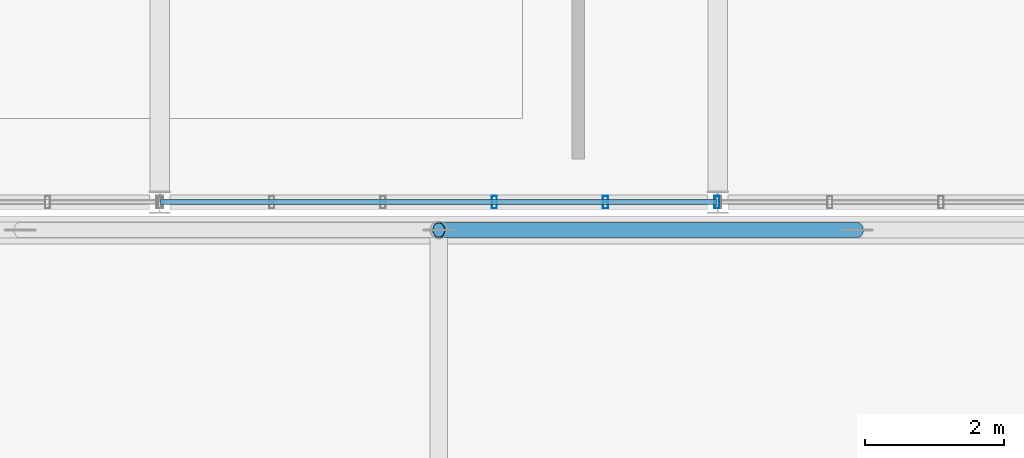
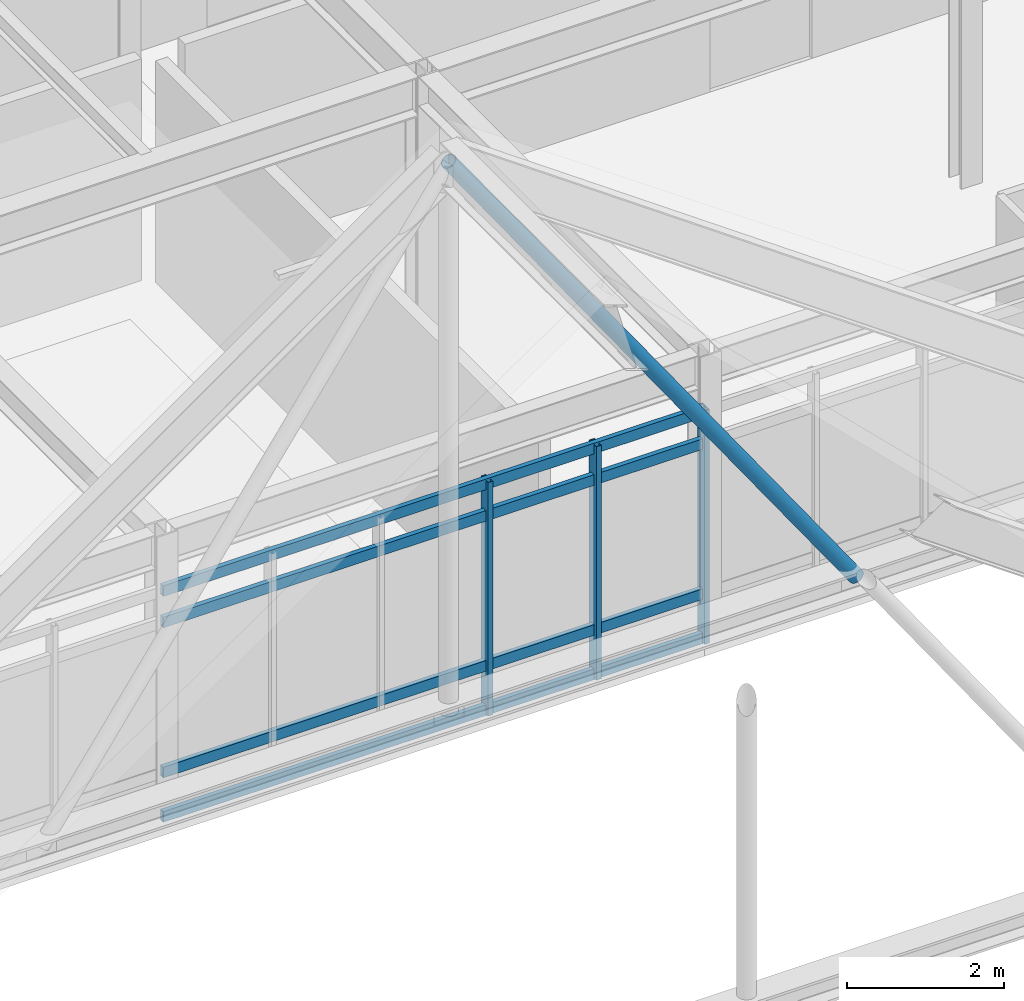
# One storey, part 57 of 100: 8 members, 1 element without a shape of its own.
"""IFC4 building model written with IfcOpenShell, lengths in metres."""

from ifc_helpers import new_model, si_unit, direction, frame, origin, origin_2d, place, context, subcontext, project, spatial, hollow_rectangle, hollow_circle, extrude, material, material_profile, profile_set, type_object, element, aggregate, save


model = new_model("IFC4")

# Units and contexts
model_context = context("Model", 3, precision=1e-05, world=origin(), true_north=direction((0.0, 1.0)))
body_context = subcontext(model_context, "Body", "Model", "MODEL_VIEW")
ifc_project = project(units=[si_unit("LENGTHUNIT", "METRE"), si_unit("AREAUNIT", "SQUARE_METRE"), si_unit("VOLUMEUNIT", "CUBIC_METRE"), si_unit("PLANEANGLEUNIT", "RADIAN"), si_unit("MASSUNIT", "GRAM", prefix="KILO")], contexts=[model_context])

# Site, building, storey
site_placement = place(None, origin())
site = spatial("IfcSite", under=ifc_project, at=site_placement, CompositionType="ELEMENT")
building_placement = place(site_placement, origin())
building = spatial("IfcBuilding", under=site, at=building_placement, Name="Zulena Civic Courthouse", CompositionType="ELEMENT")
storey_placement = place(building_placement, frame((0.0, 0.0, 20.39990234375)))
storey = spatial("IfcBuildingStorey", under=building, at=storey_placement, Name="L04", CompositionType="ELEMENT", Elevation=20.39990234375)

# Curtain wall, members
ifc_material_1 = material(Name="Double-silver low-E laminated solar-control glass", Category="glass")
curtain_wall_type = type_object("IfcCurtainWallType", Name="CW_7976x3635", PredefinedType="USERDEFINED", material=ifc_material_1)
curtain_wall_placement = place(storey_placement, origin())
curtain_wall = element("IfcCurtainWall", 1, at=curtain_wall_placement, inside=storey, type_object=curtain_wall_type, Name="cw:V3:L04:3:2", ObjectType="UNITISED CURTAIN WALL", PredefinedType="USERDEFINED")
ifc_material_2 = material(Name="Bronze anodised thermally broken aluminium AA6063-T6", Category="aluminium")
ifc_material_profile_1 = material_profile(ifc_material_2, hollow_rectangle(XDim=0.074951171875, YDim=0.179931640625, WallThickness=0.0048828125, at=origin_2d()), Name="CWM180X75X5")
ifc_profile_set_1 = profile_set([ifc_material_profile_1], Name="Bronze anodised thermally broken aluminium AA6063-T6")
member_type_1 = type_object("IfcMemberType", Name="CWMullion_180x75", PredefinedType="MULLION", material=ifc_profile_set_1)
member_1_placement = place(storey_placement, frame((147.988037109375, 30.800048828125, 0.0), z_axis=(0.0, 0.0, 1.0), x_axis=(1.0, 0.0, 0.0)))
member_1 = element("IfcMember", 2, at=member_1_placement, type_object=member_type_1, Name="cw:V3:L04:3:2:mull:0", PredefinedType="MULLION", context=body_context, shape_type="SweptSolid", body=[
    extrude(hollow_rectangle(XDim=0.074951171875, YDim=0.179931640625, WallThickness=0.0048828125, at=origin_2d()), origin(), (0.0, 0.0, 1.0), 3.635009765625),
])
member_2_placement = place(storey_placement, frame((146.392822265625, 30.800048828125, 0.0), z_axis=(0.0, 0.0, 1.0), x_axis=(1.0, 0.0, 0.0)))
member_2 = element("IfcMember", 3, at=member_2_placement, type_object=member_type_1, Name="cw:V3:L04:3:2:mull:1", PredefinedType="MULLION", context=body_context, shape_type="SweptSolid", body=[
    extrude(hollow_rectangle(XDim=0.074951171875, YDim=0.179931640625, WallThickness=0.0048828125, at=origin_2d()), origin(), (0.0, 0.0, 1.0), 3.635009765625),
])
member_3_placement = place(storey_placement, frame((144.797607421875, 30.800048828125, 0.0), z_axis=(0.0, 0.0, 1.0), x_axis=(1.0, 0.0, 0.0)))
member_3 = element("IfcMember", 4, at=member_3_placement, type_object=member_type_1, Name="cw:V3:L04:3:2:mull:2", PredefinedType="MULLION", context=body_context, shape_type="SweptSolid", body=[
    extrude(hollow_rectangle(XDim=0.074951171875, YDim=0.179931640625, WallThickness=0.0048828125, at=origin_2d()), origin(), (0.0, 0.0, 1.0), 3.635009765625),
])
ifc_material_profile_2 = material_profile(ifc_material_2, hollow_rectangle(XDim=0.070068359375, YDim=0.1650390625, WallThickness=0.00390625, at=origin_2d()), Name="CWT165X70X4")
ifc_profile_set_2 = profile_set([ifc_material_profile_2], Name="Bronze anodised thermally broken aluminium AA6063-T6")
member_type_2 = type_object("IfcMemberType", Name="CWTransom_165x70", PredefinedType="USERDEFINED", material=ifc_profile_set_2)
member_4_placement = place(storey_placement, frame((147.988037109375, 30.800048828125, 0.06005859375), z_axis=(-1.0, 0.0, 0.0), x_axis=(0.0, -1.0, 0.0)))
member_4 = element("IfcMember", 5, at=member_4_placement, type_object=member_type_2, Name="cw:V3:L04:3:2:tran:0", ObjectType="TRANSOM", PredefinedType="USERDEFINED", context=body_context, shape_type="SweptSolid", body=[
    extrude(hollow_rectangle(XDim=0.070068359375, YDim=0.1650390625, WallThickness=0.00390625, at=origin_2d()), origin(), (0.0, 0.0, 1.0), 7.97607421875),
])
member_5_placement = place(storey_placement, frame((147.988037109375, 30.800048828125, 0.75), z_axis=(-1.0, 0.0, 0.0), x_axis=(0.0, -1.0, 0.0)))
member_5 = element("IfcMember", 6, at=member_5_placement, type_object=member_type_2, Name="cw:V3:L04:3:2:tran:1", ObjectType="TRANSOM", PredefinedType="USERDEFINED", context=body_context, shape_type="SweptSolid", body=[
    extrude(hollow_rectangle(XDim=0.070068359375, YDim=0.1650390625, WallThickness=0.00390625, at=origin_2d()), origin(), (0.0, 0.0, 1.0), 7.97607421875),
])
member_6_placement = place(storey_placement, frame((147.988037109375, 30.800048828125, 3.085205078125), z_axis=(-1.0, 0.0, 0.0), x_axis=(0.0, -1.0, 0.0)))
member_6 = element("IfcMember", 7, at=member_6_placement, type_object=member_type_2, Name="cw:V3:L04:3:2:tran:2", ObjectType="TRANSOM", PredefinedType="USERDEFINED", context=body_context, shape_type="SweptSolid", body=[
    extrude(hollow_rectangle(XDim=0.070068359375, YDim=0.1650390625, WallThickness=0.00390625, at=origin_2d()), origin(), (0.0, 0.0, 1.0), 7.97607421875),
])
member_7_placement = place(storey_placement, frame((147.988037109375, 30.800048828125, 3.5751953125), z_axis=(-1.0, 0.0, 0.0), x_axis=(0.0, -1.0, 0.0)))
member_7 = element("IfcMember", 8, at=member_7_placement, type_object=member_type_2, Name="cw:V3:L04:3:2:tran:3", ObjectType="TRANSOM", PredefinedType="USERDEFINED", context=body_context, shape_type="SweptSolid", body=[
    extrude(hollow_rectangle(XDim=0.070068359375, YDim=0.1650390625, WallThickness=0.00390625, at=origin_2d()), origin(), (0.0, 0.0, 1.0), 7.97607421875),
])
aggregate(curtain_wall, [member_1, member_2, member_3, member_4, member_5, member_6, member_7])

# Member
ifc_material_3 = material(Name="Steel ASTM A500 Grade C", Category="steel")
ifc_material_profile_3 = material_profile(ifc_material_3, hollow_circle(Radius=0.109619140625, WallThickness=0.0087890625, at=origin_2d()), Name="HSS8.625X0.375")
ifc_profile_set_3 = profile_set([ifc_material_profile_3], Name="Steel ASTM A500 Grade C")
member_type_3 = type_object("IfcMemberType", Name="RoofWeb_CHS8", PredefinedType="USERDEFINED", material=ifc_profile_set_3)
member_8_placement = place(storey_placement, frame((150.0, 30.39990234375, 0.536376953125), z_axis=(-0.573973222061, 0.0, 0.81887406868), x_axis=(0.0, -1.0, 0.0)))
element("IfcMember", 9, at=member_8_placement, inside=storey, type_object=member_type_3, Name="mem:fold:diagE:06:30.4", ObjectType="ROOF TRUSS", PredefinedType="USERDEFINED", context=body_context, shape_type="SweptSolid", body=[
    extrude(hollow_circle(Radius=0.109619140625, WallThickness=0.0087890625, at=origin_2d()), origin(), (0.0, 0.0, 1.0), 10.453369140625),
])

save(model, "model.ifc")
